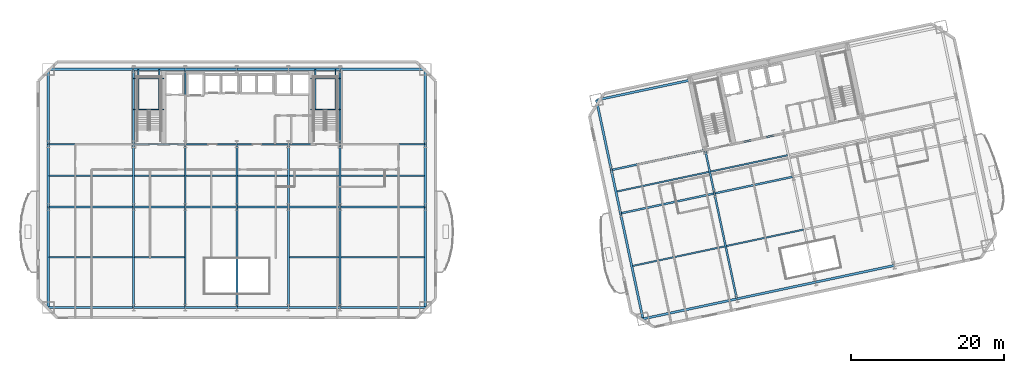
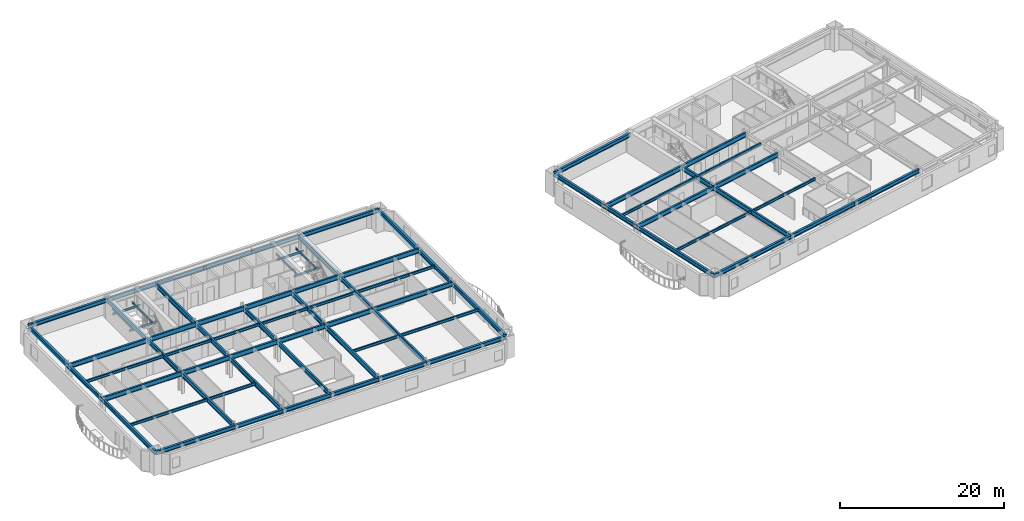
# One storey, part 3 of 16: 78 beams.
"""IFC4 building model written with IfcOpenShell, lengths in metres."""

from ifc_helpers import new_model, si_unit, direction, frame, origin, origin_2d, place, context, subcontext, project, spatial, i_section, extrude, material, material_profile, profile_set, type_object, element, save


model = new_model("IFC4")

# Units and contexts
model_context = context("Model", 3, precision=1e-05, world=origin(), true_north=direction((0.0, 1.0)))
body_context = subcontext(model_context, "Body", "Model", "MODEL_VIEW")
ifc_project = project(units=[si_unit("LENGTHUNIT", "METRE"), si_unit("AREAUNIT", "SQUARE_METRE"), si_unit("VOLUMEUNIT", "CUBIC_METRE"), si_unit("PLANEANGLEUNIT", "RADIAN"), si_unit("MASSUNIT", "GRAM", prefix="KILO")], contexts=[model_context])

# Site, building, storey
site_placement = place(None, origin())
site = spatial("IfcSite", under=ifc_project, at=site_placement, CompositionType="ELEMENT")
building_placement = place(site_placement, origin())
building = spatial("IfcBuilding", under=site, at=building_placement, Name="Haevon Station Towers", CompositionType="ELEMENT")
storey_placement = place(building_placement, frame((0.0, 0.0, 57.0)))
storey = spatial("IfcBuildingStorey", under=building, at=storey_placement, Name="L14", CompositionType="ELEMENT", Elevation=57.0)

# Beams
ifc_material = material(Name="Steel S355", Category="steel")
ifc_material_profile_1 = material_profile(ifc_material, i_section(OverallWidth=0.25, OverallDepth=0.699951171875, WebThickness=0.012939453125, FlangeThickness=0.02392578125, at=origin_2d()), Name="H-700x250x13x24")
ifc_profile_set_1 = profile_set([ifc_material_profile_1], Name="Steel S355")
beam_type_1 = type_object("IfcBeamType", Name="BM-G700", PredefinedType="BEAM", material=ifc_profile_set_1)
beam_1_placement = place(storey_placement, frame((12.85009765625, 30.0, 2.699951171875), z_axis=(1.0, 0.0, 0.0), x_axis=(0.0, 1.0, 0.0)))
element("IfcBeam", 1, at=beam_1_placement, inside=storey, type_object=beam_type_1, Name="BM-T1U-L14-02-01", PredefinedType="BEAM", context=body_context, shape_type="SweptSolid", body=[
    extrude(i_section(OverallWidth=0.25, OverallDepth=0.699951171875, WebThickness=0.012939453125, FlangeThickness=0.02392578125, at=origin_2d()), origin(), (0.0, 0.0, 1.0), 11.14990234375),
])
for number, where, z_axis, x_axis, name in (
    (2, (24.0, 30.0, 2.699951171875), (1.0, 0.0, 0.0), (0.0, 1.0, 0.0), "BM-T1U-L14-02-02"),
    (3, (30.75, 30.0, 2.699951171875), (1.0, 0.0, 0.0), (0.0, 1.0, 0.0), "BM-T1U-L14-02-03"),
    (4, (37.5, 30.0, 2.699951171875), (1.0, 0.0, 0.0), (0.0, 1.0, 0.0), "BM-T1U-L14-02-04"),
    (5, (44.25, 30.0, 2.699951171875), (1.0, 0.0, 0.0), (0.0, 1.0, 0.0), "BM-T1U-L14-02-05"),
):
    element("IfcBeam", number, at=place(storey_placement, frame(where, z_axis=z_axis, x_axis=x_axis)), inside=storey, type_object=beam_type_1, Name=name, PredefinedType="BEAM", context=body_context, shape_type="SweptSolid", body=[
        extrude(i_section(OverallWidth=0.25, OverallDepth=0.699951171875, WebThickness=0.012939453125, FlangeThickness=0.02392578125, at=origin_2d()), origin(), (0.0, 0.0, 1.0), 6.75),
    ])
for number, where, z_axis, x_axis, name in (
    (6, (51.0, 30.0, 2.699951171875), (1.0, 0.0, 0.0), (0.0, 1.0, 0.0), "BM-T1U-L14-02-06"),
    (7, (12.85009765625, 38.199951171875, 2.699951171875), (1.0, 0.0, 0.0), (0.0, 1.0, 0.0), "BM-T1U-L14-03-01"),
):
    element("IfcBeam", number, at=place(storey_placement, frame(where, z_axis=z_axis, x_axis=x_axis)), inside=storey, type_object=beam_type_1, Name=name, PredefinedType="BEAM", context=body_context, shape_type="SweptSolid", body=[
        extrude(i_section(OverallWidth=0.25, OverallDepth=0.699951171875, WebThickness=0.012939453125, FlangeThickness=0.02392578125, at=origin_2d()), origin(), (0.0, 0.0, 1.0), 11.14990234375),
    ])
for number, where, z_axis, x_axis, name in (
    (8, (24.0, 38.199951171875, 2.699951171875), (1.0, 0.0, 0.0), (0.0, 1.0, 0.0), "BM-T1U-L14-03-02"),
    (9, (30.75, 38.199951171875, 2.699951171875), (1.0, 0.0, 0.0), (0.0, 1.0, 0.0), "BM-T1U-L14-03-03"),
    (10, (37.5, 38.199951171875, 2.699951171875), (1.0, 0.0, 0.0), (0.0, 1.0, 0.0), "BM-T1U-L14-03-04"),
    (11, (44.25, 38.199951171875, 2.699951171875), (1.0, 0.0, 0.0), (0.0, 1.0, 0.0), "BM-T1U-L14-03-05"),
):
    element("IfcBeam", number, at=place(storey_placement, frame(where, z_axis=z_axis, x_axis=x_axis)), inside=storey, type_object=beam_type_1, Name=name, PredefinedType="BEAM", context=body_context, shape_type="SweptSolid", body=[
        extrude(i_section(OverallWidth=0.25, OverallDepth=0.699951171875, WebThickness=0.012939453125, FlangeThickness=0.02392578125, at=origin_2d()), origin(), (0.0, 0.0, 1.0), 6.75),
    ])
beam_2_placement = place(storey_placement, frame((51.0, 38.199951171875, 2.699951171875), z_axis=(1.0, 0.0, 0.0), x_axis=(0.0, 1.0, 0.0)))
element("IfcBeam", 12, at=beam_2_placement, inside=storey, type_object=beam_type_1, Name="BM-T1U-L14-03-06", PredefinedType="BEAM", context=body_context, shape_type="SweptSolid", body=[
    extrude(i_section(OverallWidth=0.25, OverallDepth=0.699951171875, WebThickness=0.012939453125, FlangeThickness=0.02392578125, at=origin_2d()), origin(), (0.0, 0.0, 1.0), 11.14990234375),
])
beam_3_placement = place(storey_placement, frame((24.0, 16.85009765625, 2.699951171875), z_axis=(0.0, 1.0, 0.0), x_axis=(-1.0, 0.0, 0.0)))
element("IfcBeam", 13, at=beam_3_placement, inside=storey, type_object=beam_type_1, Name="BM-T1V-L14-02-01", PredefinedType="BEAM", context=body_context, shape_type="SweptSolid", body=[
    extrude(i_section(OverallWidth=0.25, OverallDepth=0.699951171875, WebThickness=0.012939453125, FlangeThickness=0.02392578125, at=origin_2d()), origin(), (0.0, 0.0, 1.0), 13.14990234375),
])
beam_4_placement = place(storey_placement, frame((24.0, 30.0, 2.699951171875), z_axis=(0.0, 1.0, 0.0), x_axis=(-1.0, 0.0, 0.0)))
element("IfcBeam", 14, at=beam_4_placement, inside=storey, type_object=beam_type_1, Name="BM-T1V-L14-02-02", PredefinedType="BEAM", context=body_context, shape_type="SweptSolid", body=[
    extrude(i_section(OverallWidth=0.25, OverallDepth=0.699951171875, WebThickness=0.012939453125, FlangeThickness=0.02392578125, at=origin_2d()), origin(), (0.0, 0.0, 1.0), 8.199951171875),
])
beam_5_placement = place(storey_placement, frame((24.0, 38.199951171875, 2.699951171875), z_axis=(0.0, 1.0, 0.0), x_axis=(-1.0, 0.0, 0.0)))
element("IfcBeam", 15, at=beam_5_placement, inside=storey, type_object=beam_type_1, Name="BM-T1V-L14-02-03", PredefinedType="BEAM", context=body_context, shape_type="SweptSolid", body=[
    extrude(i_section(OverallWidth=0.25, OverallDepth=0.699951171875, WebThickness=0.012939453125, FlangeThickness=0.02392578125, at=origin_2d()), origin(), (0.0, 0.0, 1.0), 9.800048828125),
])
beam_6_placement = place(storey_placement, frame((30.75, 16.85009765625, 2.699951171875), z_axis=(0.0, 1.0, 0.0), x_axis=(-1.0, 0.0, 0.0)))
element("IfcBeam", 16, at=beam_6_placement, inside=storey, type_object=beam_type_1, Name="BM-T1V-L14-03-01", PredefinedType="BEAM", context=body_context, shape_type="SweptSolid", body=[
    extrude(i_section(OverallWidth=0.25, OverallDepth=0.699951171875, WebThickness=0.012939453125, FlangeThickness=0.02392578125, at=origin_2d()), origin(), (0.0, 0.0, 1.0), 13.14990234375),
])
beam_7_placement = place(storey_placement, frame((30.75, 30.0, 2.699951171875), z_axis=(0.0, 1.0, 0.0), x_axis=(-1.0, 0.0, 0.0)))
element("IfcBeam", 17, at=beam_7_placement, inside=storey, type_object=beam_type_1, Name="BM-T1V-L14-03-02", PredefinedType="BEAM", context=body_context, shape_type="SweptSolid", body=[
    extrude(i_section(OverallWidth=0.25, OverallDepth=0.699951171875, WebThickness=0.012939453125, FlangeThickness=0.02392578125, at=origin_2d()), origin(), (0.0, 0.0, 1.0), 8.199951171875),
])
beam_8_placement = place(storey_placement, frame((30.75, 38.199951171875, 2.699951171875), z_axis=(0.0, 1.0, 0.0), x_axis=(-1.0, 0.0, 0.0)))
element("IfcBeam", 18, at=beam_8_placement, inside=storey, type_object=beam_type_1, Name="BM-T1V-L14-03-03", PredefinedType="BEAM", context=body_context, shape_type="SweptSolid", body=[
    extrude(i_section(OverallWidth=0.25, OverallDepth=0.699951171875, WebThickness=0.012939453125, FlangeThickness=0.02392578125, at=origin_2d()), origin(), (0.0, 0.0, 1.0), 9.800048828125),
])
beam_9_placement = place(storey_placement, frame((37.5, 16.85009765625, 2.699951171875), z_axis=(0.0, 1.0, 0.0), x_axis=(-1.0, 0.0, 0.0)))
element("IfcBeam", 19, at=beam_9_placement, inside=storey, type_object=beam_type_1, Name="BM-T1V-L14-04-01", PredefinedType="BEAM", context=body_context, shape_type="SweptSolid", body=[
    extrude(i_section(OverallWidth=0.25, OverallDepth=0.699951171875, WebThickness=0.012939453125, FlangeThickness=0.02392578125, at=origin_2d()), origin(), (0.0, 0.0, 1.0), 13.14990234375),
])
beam_10_placement = place(storey_placement, frame((37.5, 30.0, 2.699951171875), z_axis=(0.0, 1.0, 0.0), x_axis=(-1.0, 0.0, 0.0)))
element("IfcBeam", 20, at=beam_10_placement, inside=storey, type_object=beam_type_1, Name="BM-T1V-L14-04-02", PredefinedType="BEAM", context=body_context, shape_type="SweptSolid", body=[
    extrude(i_section(OverallWidth=0.25, OverallDepth=0.699951171875, WebThickness=0.012939453125, FlangeThickness=0.02392578125, at=origin_2d()), origin(), (0.0, 0.0, 1.0), 8.199951171875),
])
beam_11_placement = place(storey_placement, frame((44.25, 16.85009765625, 2.699951171875), z_axis=(0.0, 1.0, 0.0), x_axis=(-1.0, 0.0, 0.0)))
element("IfcBeam", 21, at=beam_11_placement, inside=storey, type_object=beam_type_1, Name="BM-T1V-L14-05-01", PredefinedType="BEAM", context=body_context, shape_type="SweptSolid", body=[
    extrude(i_section(OverallWidth=0.25, OverallDepth=0.699951171875, WebThickness=0.012939453125, FlangeThickness=0.02392578125, at=origin_2d()), origin(), (0.0, 0.0, 1.0), 13.14990234375),
])
beam_12_placement = place(storey_placement, frame((44.25, 30.0, 2.699951171875), z_axis=(0.0, 1.0, 0.0), x_axis=(-1.0, 0.0, 0.0)))
element("IfcBeam", 22, at=beam_12_placement, inside=storey, type_object=beam_type_1, Name="BM-T1V-L14-05-02", PredefinedType="BEAM", context=body_context, shape_type="SweptSolid", body=[
    extrude(i_section(OverallWidth=0.25, OverallDepth=0.699951171875, WebThickness=0.012939453125, FlangeThickness=0.02392578125, at=origin_2d()), origin(), (0.0, 0.0, 1.0), 8.199951171875),
])
beam_13_placement = place(storey_placement, frame((51.0, 16.85009765625, 2.699951171875), z_axis=(0.0, 1.0, 0.0), x_axis=(-1.0, 0.0, 0.0)))
element("IfcBeam", 23, at=beam_13_placement, inside=storey, type_object=beam_type_1, Name="BM-T1V-L14-06-01", PredefinedType="BEAM", context=body_context, shape_type="SweptSolid", body=[
    extrude(i_section(OverallWidth=0.25, OverallDepth=0.699951171875, WebThickness=0.012939453125, FlangeThickness=0.02392578125, at=origin_2d()), origin(), (0.0, 0.0, 1.0), 13.14990234375),
])
beam_14_placement = place(storey_placement, frame((51.0, 30.0, 2.699951171875), z_axis=(0.0, 1.0, 0.0), x_axis=(-1.0, 0.0, 0.0)))
element("IfcBeam", 24, at=beam_14_placement, inside=storey, type_object=beam_type_1, Name="BM-T1V-L14-06-02", PredefinedType="BEAM", context=body_context, shape_type="SweptSolid", body=[
    extrude(i_section(OverallWidth=0.25, OverallDepth=0.699951171875, WebThickness=0.012939453125, FlangeThickness=0.02392578125, at=origin_2d()), origin(), (0.0, 0.0, 1.0), 8.199951171875),
])
beam_15_placement = place(storey_placement, frame((51.0, 38.199951171875, 2.699951171875), z_axis=(0.0, 1.0, 0.0), x_axis=(-1.0, 0.0, 0.0)))
element("IfcBeam", 25, at=beam_15_placement, inside=storey, type_object=beam_type_1, Name="BM-T1V-L14-06-03", PredefinedType="BEAM", context=body_context, shape_type="SweptSolid", body=[
    extrude(i_section(OverallWidth=0.25, OverallDepth=0.699951171875, WebThickness=0.012939453125, FlangeThickness=0.02392578125, at=origin_2d()), origin(), (0.0, 0.0, 1.0), 9.800048828125),
])
beam_16_placement = place(storey_placement, frame((87.682373046875, 29.159912109375, 2.699951171875), z_axis=(0.978150643069, 0.207897377242, 0.0), x_axis=(-0.207897377242, 0.978150643069, 0.0)))
element("IfcBeam", 26, at=beam_16_placement, inside=storey, type_object=beam_type_1, Name="BM-T2U-L14-02-01", PredefinedType="BEAM", context=body_context, shape_type="SweptSolid", body=[
    extrude(i_section(OverallWidth=0.25, OverallDepth=0.699951171875, WebThickness=0.012939453125, FlangeThickness=0.02392578125, at=origin_2d()), origin(), (0.0, 0.0, 1.0), 12.550048828125),
])
beam_17_placement = place(storey_placement, frame((99.958251953125, 31.76904296875, 2.699951171875), z_axis=(0.978146794194, 0.207915485254, 0.0), x_axis=(-0.207915485254, 0.978146794194, 0.0)))
element("IfcBeam", 27, at=beam_17_placement, inside=storey, type_object=beam_type_1, Name="BM-T2U-L14-02-02", PredefinedType="BEAM", context=body_context, shape_type="SweptSolid", body=[
    extrude(i_section(OverallWidth=0.25, OverallDepth=0.699951171875, WebThickness=0.012939453125, FlangeThickness=0.02392578125, at=origin_2d()), origin(), (0.0, 0.0, 1.0), 10.5),
])
beam_18_placement = place(storey_placement, frame((86.4765625, 34.8330078125, 2.699951171875), z_axis=(0.978146686984, 0.207915989628, 0.0), x_axis=(-0.207915989628, 0.978146686984, 0.0)))
element("IfcBeam", 28, at=beam_18_placement, inside=storey, type_object=beam_type_1, Name="BM-T2U-L14-03-01", PredefinedType="BEAM", context=body_context, shape_type="SweptSolid", body=[
    extrude(i_section(OverallWidth=0.25, OverallDepth=0.699951171875, WebThickness=0.012939453125, FlangeThickness=0.02392578125, at=origin_2d()), origin(), (0.0, 0.0, 1.0), 12.550048828125),
])
beam_19_placement = place(storey_placement, frame((98.75244140625, 37.4423828125, 2.699951171875), z_axis=(0.978146794194, 0.207915485254, 0.0), x_axis=(-0.207915485254, 0.978146794194, 0.0)))
element("IfcBeam", 29, at=beam_19_placement, inside=storey, type_object=beam_type_1, Name="BM-T2U-L14-03-02", PredefinedType="BEAM", context=body_context, shape_type="SweptSolid", body=[
    extrude(i_section(OverallWidth=0.25, OverallDepth=0.699951171875, WebThickness=0.012939453125, FlangeThickness=0.02392578125, at=origin_2d()), origin(), (0.0, 0.0, 1.0), 10.5),
])
beam_20_placement = place(storey_placement, frame((102.889892578125, 17.977294921875, 2.699951171875), z_axis=(-0.207919431961, 0.978145955271, 0.0), x_axis=(-0.978145955271, -0.207919431961, 0.0)))
element("IfcBeam", 30, at=beam_20_placement, inside=storey, type_object=beam_type_1, Name="BM-T2V-L14-02-01", PredefinedType="BEAM", context=body_context, shape_type="SweptSolid", body=[
    extrude(i_section(OverallWidth=0.25, OverallDepth=0.699951171875, WebThickness=0.012939453125, FlangeThickness=0.02392578125, at=origin_2d()), origin(), (0.0, 0.0, 1.0), 14.099853515625),
])
beam_21_placement = place(storey_placement, frame((99.958251953125, 31.76904296875, 2.699951171875), z_axis=(-0.207896009217, 0.97815093383, 0.0), x_axis=(-0.97815093383, -0.207896009217, 0.0)))
element("IfcBeam", 31, at=beam_21_placement, inside=storey, type_object=beam_type_1, Name="BM-T2V-L14-02-02", PredefinedType="BEAM", context=body_context, shape_type="SweptSolid", body=[
    extrude(i_section(OverallWidth=0.25, OverallDepth=0.699951171875, WebThickness=0.012939453125, FlangeThickness=0.02392578125, at=origin_2d()), origin(), (0.0, 0.0, 1.0), 5.800048828125),
])
ifc_material_profile_2 = material_profile(ifc_material, i_section(OverallWidth=0.199951171875, OverallDepth=0.39990234375, WebThickness=0.008056640625, FlangeThickness=0.012939453125, at=origin_2d()), Name="H-400x200x8x13")
ifc_profile_set_2 = profile_set([ifc_material_profile_2], Name="Steel S355")
beam_type_2 = type_object("IfcBeamType", Name="BM-J400", PredefinedType="JOIST", material=ifc_profile_set_2)
beam_22_placement = place(storey_placement, frame((12.9599609375, 23.425048828125, 2.85009765625), z_axis=(1.0, 0.0, 0.0), x_axis=(0.0, 1.0, 0.0)))
element("IfcBeam", 32, at=beam_22_placement, inside=storey, type_object=beam_type_2, Name="BM-T1J-L14-01-01", PredefinedType="JOIST", context=body_context, shape_type="SweptSolid", body=[
    extrude(i_section(OverallWidth=0.199951171875, OverallDepth=0.39990234375, WebThickness=0.008056640625, FlangeThickness=0.012939453125, at=origin_2d()), origin(), (0.0, 0.0, 1.0), 10.929931640625),
])
for number, where, z_axis, x_axis, name in (
    (33, (24.110107421875, 23.425048828125, 2.85009765625), (1.0, 0.0, 0.0), (0.0, 1.0, 0.0), "BM-T1J-L14-01-02"),
    (34, (44.360107421875, 23.425048828125, 2.85009765625), (1.0, 0.0, 0.0), (0.0, 1.0, 0.0), "BM-T1J-L14-01-05"),
):
    element("IfcBeam", number, at=place(storey_placement, frame(where, z_axis=z_axis, x_axis=x_axis)), inside=storey, type_object=beam_type_2, Name=name, PredefinedType="JOIST", context=body_context, shape_type="SweptSolid", body=[
        extrude(i_section(OverallWidth=0.199951171875, OverallDepth=0.39990234375, WebThickness=0.008056640625, FlangeThickness=0.012939453125, at=origin_2d()), origin(), (0.0, 0.0, 1.0), 6.52978515625),
    ])
for number, where, z_axis, x_axis, name in (
    (35, (51.110107421875, 23.425048828125, 2.85009765625), (1.0, 0.0, 0.0), (0.0, 1.0, 0.0), "BM-T1J-L14-01-06"),
    (36, (12.9599609375, 34.10009765625, 2.85009765625), (1.0, 0.0, 0.0), (0.0, 1.0, 0.0), "BM-T1J-L14-02-01"),
):
    element("IfcBeam", number, at=place(storey_placement, frame(where, z_axis=z_axis, x_axis=x_axis)), inside=storey, type_object=beam_type_2, Name=name, PredefinedType="JOIST", context=body_context, shape_type="SweptSolid", body=[
        extrude(i_section(OverallWidth=0.199951171875, OverallDepth=0.39990234375, WebThickness=0.008056640625, FlangeThickness=0.012939453125, at=origin_2d()), origin(), (0.0, 0.0, 1.0), 10.929931640625),
    ])
for number, where, z_axis, x_axis, name in (
    (37, (24.110107421875, 34.10009765625, 2.85009765625), (1.0, 0.0, 0.0), (0.0, 1.0, 0.0), "BM-T1J-L14-02-02"),
    (38, (30.860107421875, 34.10009765625, 2.85009765625), (1.0, 0.0, 0.0), (0.0, 1.0, 0.0), "BM-T1J-L14-02-03"),
    (39, (37.610107421875, 34.10009765625, 2.85009765625), (1.0, 0.0, 0.0), (0.0, 1.0, 0.0), "BM-T1J-L14-02-04"),
    (40, (44.360107421875, 34.10009765625, 2.85009765625), (1.0, 0.0, 0.0), (0.0, 1.0, 0.0), "BM-T1J-L14-02-05"),
):
    element("IfcBeam", number, at=place(storey_placement, frame(where, z_axis=z_axis, x_axis=x_axis)), inside=storey, type_object=beam_type_2, Name=name, PredefinedType="JOIST", context=body_context, shape_type="SweptSolid", body=[
        extrude(i_section(OverallWidth=0.199951171875, OverallDepth=0.39990234375, WebThickness=0.008056640625, FlangeThickness=0.012939453125, at=origin_2d()), origin(), (0.0, 0.0, 1.0), 6.52978515625),
    ])
beam_23_placement = place(storey_placement, frame((51.110107421875, 34.10009765625, 2.85009765625), z_axis=(1.0, 0.0, 0.0), x_axis=(0.0, 1.0, 0.0)))
element("IfcBeam", 41, at=beam_23_placement, inside=storey, type_object=beam_type_2, Name="BM-T1J-L14-02-06", PredefinedType="JOIST", context=body_context, shape_type="SweptSolid", body=[
    extrude(i_section(OverallWidth=0.199951171875, OverallDepth=0.39990234375, WebThickness=0.008056640625, FlangeThickness=0.012939453125, at=origin_2d()), origin(), (0.0, 0.0, 1.0), 10.929931640625),
])
beam_24_placement = place(storey_placement, frame((89.255859375, 22.286865234375, 2.85009765625), z_axis=(0.97814878519, 0.20790611831, 0.0), x_axis=(-0.20790611831, 0.97814878519, 0.0)))
element("IfcBeam", 42, at=beam_24_placement, inside=storey, type_object=beam_type_2, Name="BM-T2J-L14-01-01", PredefinedType="JOIST", context=body_context, shape_type="SweptSolid", body=[
    extrude(i_section(OverallWidth=0.199951171875, OverallDepth=0.39990234375, WebThickness=0.008056640625, FlangeThickness=0.012939453125, at=origin_2d()), origin(), (0.0, 0.0, 1.0), 12.330078125),
])
beam_25_placement = place(storey_placement, frame((101.531494140625, 24.89599609375, 2.85009765625), z_axis=(0.978145509903, 0.207921527161, 0.0), x_axis=(-0.207921527161, 0.978145509903, 0.0)))
element("IfcBeam", 43, at=beam_25_placement, inside=storey, type_object=beam_type_2, Name="BM-T2J-L14-01-02", PredefinedType="JOIST", context=body_context, shape_type="SweptSolid", body=[
    extrude(i_section(OverallWidth=0.199951171875, OverallDepth=0.39990234375, WebThickness=0.008056640625, FlangeThickness=0.012939453125, at=origin_2d()), origin(), (0.0, 0.0, 1.0), 10.280029296875),
])
beam_26_placement = place(storey_placement, frame((87.187255859375, 32.019287109375, 2.85009765625), z_axis=(0.978144758315, 0.207925062896, 0.0), x_axis=(-0.207925062896, 0.978144758315, 0.0)))
element("IfcBeam", 44, at=beam_26_placement, inside=storey, type_object=beam_type_2, Name="BM-T2J-L14-02-01", PredefinedType="JOIST", context=body_context, shape_type="SweptSolid", body=[
    extrude(i_section(OverallWidth=0.199951171875, OverallDepth=0.39990234375, WebThickness=0.008056640625, FlangeThickness=0.012939453125, at=origin_2d()), origin(), (0.0, 0.0, 1.0), 12.330078125),
])
beam_27_placement = place(storey_placement, frame((99.462890625, 34.628662109375, 2.85009765625), z_axis=(0.978150339653, 0.207898804801, 0.0), x_axis=(-0.207898804801, 0.978150339653, 0.0)))
element("IfcBeam", 45, at=beam_27_placement, inside=storey, type_object=beam_type_2, Name="BM-T2J-L14-02-02", PredefinedType="JOIST", context=body_context, shape_type="SweptSolid", body=[
    extrude(i_section(OverallWidth=0.199951171875, OverallDepth=0.39990234375, WebThickness=0.008056640625, FlangeThickness=0.012939453125, at=origin_2d()), origin(), (0.0, 0.0, 1.0), 10.280029296875),
])
ifc_material_profile_3 = material_profile(ifc_material, i_section(OverallWidth=0.14990234375, OverallDepth=0.300048828125, WebThickness=0.006591796875, FlangeThickness=0.009033203125, at=origin_2d()), Name="H-300x150x6.5x9")
ifc_profile_set_3 = profile_set([ifc_material_profile_3], Name="Steel S355")
beam_type_3 = type_object("IfcBeamType", Name="BM-LIN300", PredefinedType="LINTEL", material=ifc_profile_set_3)
for number, where, z_axis, x_axis, name in (
    (46, (24.0, 42.743896484375, 1.300048828125), (1.0, 0.0, 0.0), (0.0, 1.0, 0.0), "BM-ST1L-L14-1-S"),
    (47, (24.0, 46.820068359375, 1.300048828125), (1.0, 0.0, 0.0), (0.0, 1.0, 0.0), "BM-ST1L-L14-1-N"),
):
    element("IfcBeam", number, at=place(storey_placement, frame(where, z_axis=z_axis, x_axis=x_axis)), inside=storey, type_object=beam_type_3, Name=name, PredefinedType="LINTEL", context=body_context, shape_type="SweptSolid", body=[
        extrude(i_section(OverallWidth=0.14990234375, OverallDepth=0.300048828125, WebThickness=0.006591796875, FlangeThickness=0.009033203125, at=origin_2d()), origin(), (0.0, 0.0, 1.0), 3.949951171875),
    ])
for number, where, z_axis, x_axis, name in (
    (48, (24.60009765625, 42.743896484375, 1.300048828125), (0.0, 1.0, 0.0), (-1.0, 0.0, 0.0), "BM-ST1L-L14-1-W"),
    (49, (27.35009765625, 42.743896484375, 1.300048828125), (0.0, 1.0, 0.0), (-1.0, 0.0, 0.0), "BM-ST1L-L14-1-E"),
):
    element("IfcBeam", number, at=place(storey_placement, frame(where, z_axis=z_axis, x_axis=x_axis)), inside=storey, type_object=beam_type_3, Name=name, PredefinedType="LINTEL", context=body_context, shape_type="SweptSolid", body=[
        extrude(i_section(OverallWidth=0.14990234375, OverallDepth=0.300048828125, WebThickness=0.006591796875, FlangeThickness=0.009033203125, at=origin_2d()), origin(), (0.0, 0.0, 1.0), 5.256103515625),
    ])
for number, where, z_axis, x_axis, name in (
    (50, (47.14990234375, 42.743896484375, 1.300048828125), (1.0, 0.0, 0.0), (0.0, 1.0, 0.0), "BM-ST2L-L14-1-S"),
    (51, (47.14990234375, 46.820068359375, 1.300048828125), (1.0, 0.0, 0.0), (0.0, 1.0, 0.0), "BM-ST2L-L14-1-N"),
):
    element("IfcBeam", number, at=place(storey_placement, frame(where, z_axis=z_axis, x_axis=x_axis)), inside=storey, type_object=beam_type_3, Name=name, PredefinedType="LINTEL", context=body_context, shape_type="SweptSolid", body=[
        extrude(i_section(OverallWidth=0.14990234375, OverallDepth=0.300048828125, WebThickness=0.006591796875, FlangeThickness=0.009033203125, at=origin_2d()), origin(), (0.0, 0.0, 1.0), 3.85009765625),
    ])
for number, where, z_axis, x_axis, name in (
    (52, (47.75, 42.743896484375, 1.300048828125), (0.0, 1.0, 0.0), (-1.0, 0.0, 0.0), "BM-ST2L-L14-1-W"),
    (53, (50.39990234375, 42.743896484375, 1.300048828125), (0.0, 1.0, 0.0), (-1.0, 0.0, 0.0), "BM-ST2L-L14-1-E"),
):
    element("IfcBeam", number, at=place(storey_placement, frame(where, z_axis=z_axis, x_axis=x_axis)), inside=storey, type_object=beam_type_3, Name=name, PredefinedType="LINTEL", context=body_context, shape_type="SweptSolid", body=[
        extrude(i_section(OverallWidth=0.14990234375, OverallDepth=0.300048828125, WebThickness=0.006591796875, FlangeThickness=0.009033203125, at=origin_2d()), origin(), (0.0, 0.0, 1.0), 5.256103515625),
    ])
ifc_material_profile_4 = material_profile(ifc_material, i_section(OverallWidth=0.300048828125, OverallDepth=0.587890625, WebThickness=0.011962890625, FlangeThickness=0.02001953125, at=origin_2d()), Name="H-588x300x12x20")
ifc_profile_set_4 = profile_set([ifc_material_profile_4], Name="Steel S355")
beam_type_4 = type_object("IfcBeamType", Name="BM-SP588", PredefinedType="SPANDREL", material=ifc_profile_set_4)
beam_28_placement = place(storey_placement, frame((12.85009765625, 16.85009765625, 2.756103515625), z_axis=(1.0, 0.0, 0.0), x_axis=(0.0, 1.0, 0.0)))
element("IfcBeam", 54, at=beam_28_placement, inside=storey, type_object=beam_type_4, Name="BM-T1U-L14-01-01", PredefinedType="SPANDREL", context=body_context, shape_type="SweptSolid", body=[
    extrude(i_section(OverallWidth=0.300048828125, OverallDepth=0.587890625, WebThickness=0.011962890625, FlangeThickness=0.02001953125, at=origin_2d()), origin(), (0.0, 0.0, 1.0), 11.14990234375),
])
for number, where, z_axis, x_axis, name in (
    (55, (24.0, 16.85009765625, 2.756103515625), (1.0, 0.0, 0.0), (0.0, 1.0, 0.0), "BM-T1U-L14-01-02"),
    (56, (30.75, 16.85009765625, 2.756103515625), (1.0, 0.0, 0.0), (0.0, 1.0, 0.0), "BM-T1U-L14-01-03"),
    (57, (37.5, 16.85009765625, 2.756103515625), (1.0, 0.0, 0.0), (0.0, 1.0, 0.0), "BM-T1U-L14-01-04"),
    (58, (44.25, 16.85009765625, 2.756103515625), (1.0, 0.0, 0.0), (0.0, 1.0, 0.0), "BM-T1U-L14-01-05"),
):
    element("IfcBeam", number, at=place(storey_placement, frame(where, z_axis=z_axis, x_axis=x_axis)), inside=storey, type_object=beam_type_4, Name=name, PredefinedType="SPANDREL", context=body_context, shape_type="SweptSolid", body=[
        extrude(i_section(OverallWidth=0.300048828125, OverallDepth=0.587890625, WebThickness=0.011962890625, FlangeThickness=0.02001953125, at=origin_2d()), origin(), (0.0, 0.0, 1.0), 6.75),
    ])
for number, where, z_axis, x_axis, name in (
    (59, (51.0, 16.85009765625, 2.756103515625), (1.0, 0.0, 0.0), (0.0, 1.0, 0.0), "BM-T1U-L14-01-06"),
    (60, (12.85009765625, 48.0, 2.756103515625), (1.0, 0.0, 0.0), (0.0, 1.0, 0.0), "BM-T1U-L14-04-01"),
):
    element("IfcBeam", number, at=place(storey_placement, frame(where, z_axis=z_axis, x_axis=x_axis)), inside=storey, type_object=beam_type_4, Name=name, PredefinedType="SPANDREL", context=body_context, shape_type="SweptSolid", body=[
        extrude(i_section(OverallWidth=0.300048828125, OverallDepth=0.587890625, WebThickness=0.011962890625, FlangeThickness=0.02001953125, at=origin_2d()), origin(), (0.0, 0.0, 1.0), 11.14990234375),
    ])
for number, where, z_axis, x_axis, name in (
    (61, (24.0, 48.0, 2.756103515625), (1.0, 0.0, 0.0), (0.0, 1.0, 0.0), "BM-T1U-L14-04-02"),
    (62, (30.75, 48.0, 2.756103515625), (1.0, 0.0, 0.0), (0.0, 1.0, 0.0), "BM-T1U-L14-04-03"),
    (63, (37.5, 48.0, 2.756103515625), (1.0, 0.0, 0.0), (0.0, 1.0, 0.0), "BM-T1U-L14-04-04"),
    (64, (44.25, 48.0, 2.756103515625), (1.0, 0.0, 0.0), (0.0, 1.0, 0.0), "BM-T1U-L14-04-05"),
):
    element("IfcBeam", number, at=place(storey_placement, frame(where, z_axis=z_axis, x_axis=x_axis)), inside=storey, type_object=beam_type_4, Name=name, PredefinedType="SPANDREL", context=body_context, shape_type="SweptSolid", body=[
        extrude(i_section(OverallWidth=0.300048828125, OverallDepth=0.587890625, WebThickness=0.011962890625, FlangeThickness=0.02001953125, at=origin_2d()), origin(), (0.0, 0.0, 1.0), 6.75),
    ])
beam_29_placement = place(storey_placement, frame((51.0, 48.0, 2.756103515625), z_axis=(1.0, 0.0, 0.0), x_axis=(0.0, 1.0, 0.0)))
element("IfcBeam", 65, at=beam_29_placement, inside=storey, type_object=beam_type_4, Name="BM-T1U-L14-04-06", PredefinedType="SPANDREL", context=body_context, shape_type="SweptSolid", body=[
    extrude(i_section(OverallWidth=0.300048828125, OverallDepth=0.587890625, WebThickness=0.011962890625, FlangeThickness=0.02001953125, at=origin_2d()), origin(), (0.0, 0.0, 1.0), 11.14990234375),
])
beam_30_placement = place(storey_placement, frame((12.85009765625, 16.85009765625, 2.756103515625), z_axis=(0.0, 1.0, 0.0), x_axis=(-1.0, 0.0, 0.0)))
element("IfcBeam", 66, at=beam_30_placement, inside=storey, type_object=beam_type_4, Name="BM-T1V-L14-01-01", PredefinedType="SPANDREL", context=body_context, shape_type="SweptSolid", body=[
    extrude(i_section(OverallWidth=0.300048828125, OverallDepth=0.587890625, WebThickness=0.011962890625, FlangeThickness=0.02001953125, at=origin_2d()), origin(), (0.0, 0.0, 1.0), 13.14990234375),
])
beam_31_placement = place(storey_placement, frame((12.85009765625, 30.0, 2.756103515625), z_axis=(0.0, 1.0, 0.0), x_axis=(-1.0, 0.0, 0.0)))
element("IfcBeam", 67, at=beam_31_placement, inside=storey, type_object=beam_type_4, Name="BM-T1V-L14-01-02", PredefinedType="SPANDREL", context=body_context, shape_type="SweptSolid", body=[
    extrude(i_section(OverallWidth=0.300048828125, OverallDepth=0.587890625, WebThickness=0.011962890625, FlangeThickness=0.02001953125, at=origin_2d()), origin(), (0.0, 0.0, 1.0), 8.199951171875),
])
beam_32_placement = place(storey_placement, frame((12.85009765625, 38.199951171875, 2.756103515625), z_axis=(0.0, 1.0, 0.0), x_axis=(-1.0, 0.0, 0.0)))
element("IfcBeam", 68, at=beam_32_placement, inside=storey, type_object=beam_type_4, Name="BM-T1V-L14-01-03", PredefinedType="SPANDREL", context=body_context, shape_type="SweptSolid", body=[
    extrude(i_section(OverallWidth=0.300048828125, OverallDepth=0.587890625, WebThickness=0.011962890625, FlangeThickness=0.02001953125, at=origin_2d()), origin(), (0.0, 0.0, 1.0), 9.800048828125),
])
beam_33_placement = place(storey_placement, frame((62.14990234375, 16.85009765625, 2.756103515625), z_axis=(0.0, 1.0, 0.0), x_axis=(-1.0, 0.0, 0.0)))
element("IfcBeam", 69, at=beam_33_placement, inside=storey, type_object=beam_type_4, Name="BM-T1V-L14-07-01", PredefinedType="SPANDREL", context=body_context, shape_type="SweptSolid", body=[
    extrude(i_section(OverallWidth=0.300048828125, OverallDepth=0.587890625, WebThickness=0.011962890625, FlangeThickness=0.02001953125, at=origin_2d()), origin(), (0.0, 0.0, 1.0), 13.14990234375),
])
beam_34_placement = place(storey_placement, frame((62.14990234375, 30.0, 2.756103515625), z_axis=(0.0, 1.0, 0.0), x_axis=(-1.0, 0.0, 0.0)))
element("IfcBeam", 70, at=beam_34_placement, inside=storey, type_object=beam_type_4, Name="BM-T1V-L14-07-02", PredefinedType="SPANDREL", context=body_context, shape_type="SweptSolid", body=[
    extrude(i_section(OverallWidth=0.300048828125, OverallDepth=0.587890625, WebThickness=0.011962890625, FlangeThickness=0.02001953125, at=origin_2d()), origin(), (0.0, 0.0, 1.0), 8.199951171875),
])
beam_35_placement = place(storey_placement, frame((62.14990234375, 38.199951171875, 2.756103515625), z_axis=(0.0, 1.0, 0.0), x_axis=(-1.0, 0.0, 0.0)))
element("IfcBeam", 71, at=beam_35_placement, inside=storey, type_object=beam_type_4, Name="BM-T1V-L14-07-03", PredefinedType="SPANDREL", context=body_context, shape_type="SweptSolid", body=[
    extrude(i_section(OverallWidth=0.300048828125, OverallDepth=0.587890625, WebThickness=0.011962890625, FlangeThickness=0.02001953125, at=origin_2d()), origin(), (0.0, 0.0, 1.0), 9.800048828125),
])
beam_36_placement = place(storey_placement, frame((90.614013671875, 15.367919921875, 2.756103515625), z_axis=(0.978146686984, 0.207915989628, 0.0), x_axis=(-0.207915989628, 0.978146686984, 0.0)))
element("IfcBeam", 72, at=beam_36_placement, inside=storey, type_object=beam_type_4, Name="BM-T2U-L14-01-01", PredefinedType="SPANDREL", context=body_context, shape_type="SweptSolid", body=[
    extrude(i_section(OverallWidth=0.300048828125, OverallDepth=0.587890625, WebThickness=0.011962890625, FlangeThickness=0.02001953125, at=origin_2d()), origin(), (0.0, 0.0, 1.0), 12.550048828125),
])
for number, where, z_axis, x_axis, name in (
    (73, (102.889892578125, 17.977294921875, 2.756103515625), (0.978146794194, 0.207915485254, 0.0), (-0.207915485254, 0.978146794194, 0.0), "BM-T2U-L14-01-02"),
    (74, (113.160400390625, 20.160400390625, 2.756103515625), (0.978146794194, 0.207915485254, 0.0), (-0.207915485254, 0.978146794194, 0.0), "BM-T2U-L14-01-03"),
):
    element("IfcBeam", number, at=place(storey_placement, frame(where, z_axis=z_axis, x_axis=x_axis)), inside=storey, type_object=beam_type_4, Name=name, PredefinedType="SPANDREL", context=body_context, shape_type="SweptSolid", body=[
        extrude(i_section(OverallWidth=0.300048828125, OverallDepth=0.587890625, WebThickness=0.011962890625, FlangeThickness=0.02001953125, at=origin_2d()), origin(), (0.0, 0.0, 1.0), 10.5),
    ])
beam_37_placement = place(storey_placement, frame((84.53271484375, 43.978759765625, 2.756103515625), z_axis=(0.978145846015, 0.207919945948, 0.0), x_axis=(-0.207919945948, 0.978145846015, 0.0)))
element("IfcBeam", 75, at=beam_37_placement, inside=storey, type_object=beam_type_4, Name="BM-T2U-L14-04-01", PredefinedType="SPANDREL", context=body_context, shape_type="SweptSolid", body=[
    extrude(i_section(OverallWidth=0.300048828125, OverallDepth=0.587890625, WebThickness=0.011962890625, FlangeThickness=0.02001953125, at=origin_2d()), origin(), (0.0, 0.0, 1.0), 12.5498046875),
])
beam_38_placement = place(storey_placement, frame((90.614013671875, 15.367919921875, 2.756103515625), z_axis=(-0.207915910556, 0.978146703791, 0.0), x_axis=(-0.978146703791, -0.207915910556, 0.0)))
element("IfcBeam", 76, at=beam_38_placement, inside=storey, type_object=beam_type_4, Name="BM-T2V-L14-01-01", PredefinedType="SPANDREL", context=body_context, shape_type="SweptSolid", body=[
    extrude(i_section(OverallWidth=0.300048828125, OverallDepth=0.587890625, WebThickness=0.011962890625, FlangeThickness=0.02001953125, at=origin_2d()), origin(), (0.0, 0.0, 1.0), 14.10009765625),
])
beam_39_placement = place(storey_placement, frame((87.682373046875, 29.159912109375, 2.756103515625), z_axis=(-0.207904569273, 0.978149114438, 0.0), x_axis=(-0.978149114438, -0.207904569273, 0.0)))
element("IfcBeam", 77, at=beam_39_placement, inside=storey, type_object=beam_type_4, Name="BM-T2V-L14-01-02", PredefinedType="SPANDREL", context=body_context, shape_type="SweptSolid", body=[
    extrude(i_section(OverallWidth=0.300048828125, OverallDepth=0.587890625, WebThickness=0.011962890625, FlangeThickness=0.02001953125, at=origin_2d()), origin(), (0.0, 0.0, 1.0), 5.7998046875),
])
beam_40_placement = place(storey_placement, frame((86.4765625, 34.8330078125, 2.756103515625), z_axis=(-0.207897167074, 0.978150687738, 0.0), x_axis=(-0.978150687738, -0.207897167074, 0.0)))
element("IfcBeam", 78, at=beam_40_placement, inside=storey, type_object=beam_type_4, Name="BM-T2V-L14-01-03", PredefinedType="SPANDREL", context=body_context, shape_type="SweptSolid", body=[
    extrude(i_section(OverallWidth=0.300048828125, OverallDepth=0.587890625, WebThickness=0.011962890625, FlangeThickness=0.02001953125, at=origin_2d()), origin(), (0.0, 0.0, 1.0), 9.35009765625),
])

save(model, "model.ifc")
